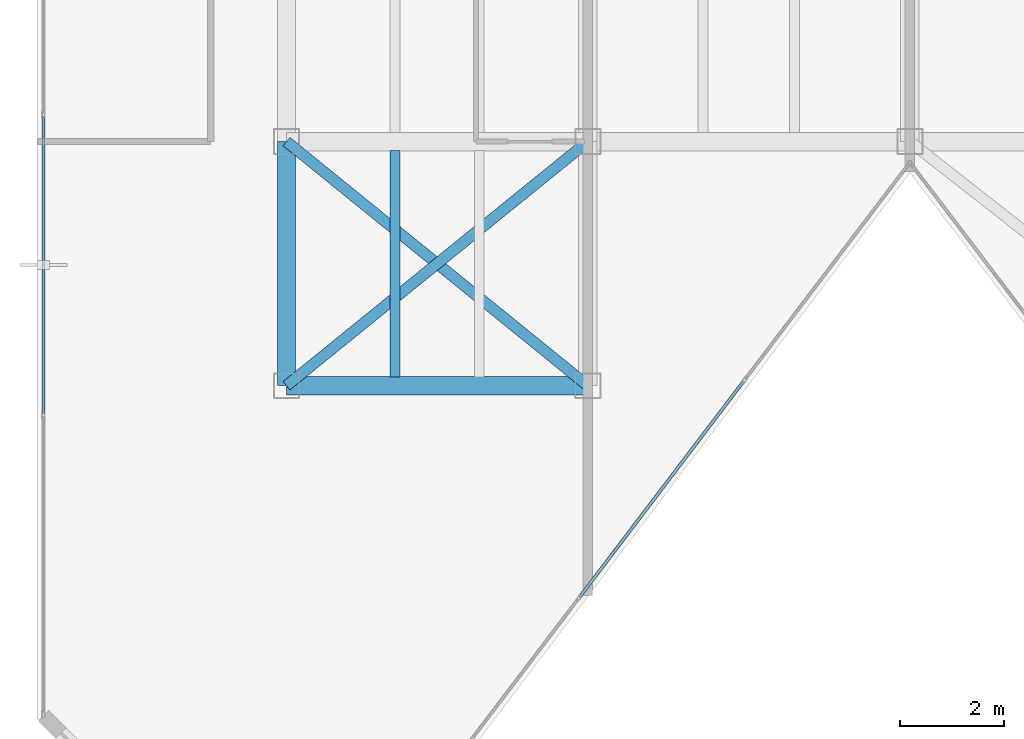
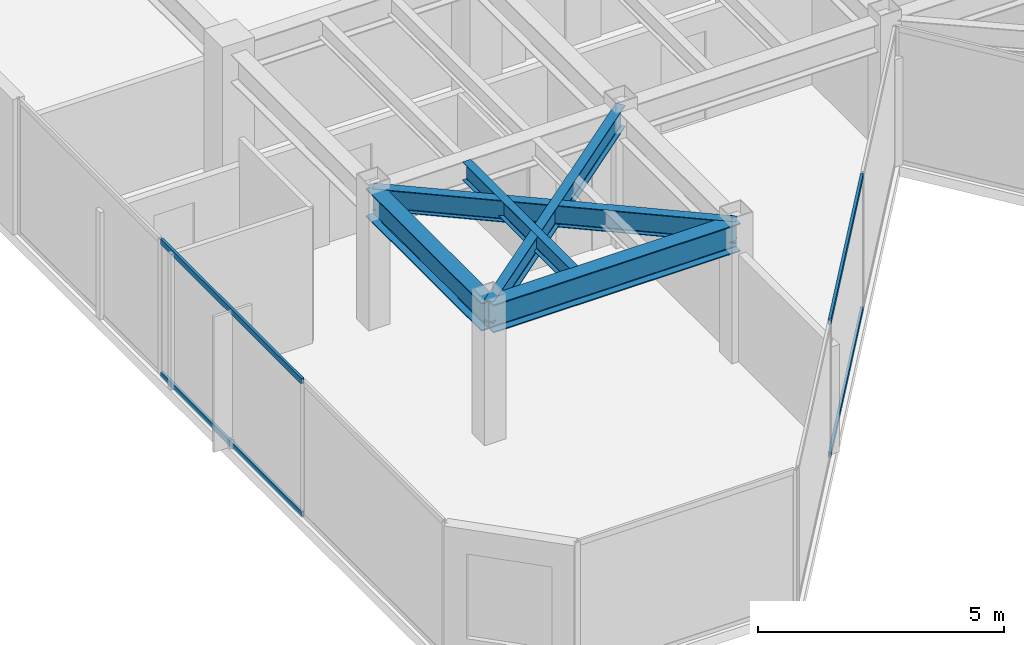
# One storey, part 3 of 19: 5 beams, 4 members, 2 elements without a shape of their own.
"""IFC4 building model written with IfcOpenShell, lengths in metres."""

import ifcopenshell
import ifcopenshell.guid

model = None  # the IFC model being written
_history = None  # IfcOwnerHistory: only IFC2X3 demands one
_inside = {}  # id of a spatial element -> (the spatial element, [elements in it])
_under = {}  # id of a project, library or spatial element -> (it, [spatial elements below it])
_declared = {}  # id of a project -> (the project, [libraries it declares])
_typed = {}  # id of a type object -> (the type object, [elements of that type])
_made_of = {}  # id of a material, layer set ... -> (it, [elements and type objects made of it])


def new_model(schema):
    """Start an empty IFC model of exactly this schema.

    Asked for "IFC4X3", IfcOpenShell would pick the latest addendum, in which some entities
    have other attributes; the version numbers below select the first issue.
    IFC2X3 requires an IfcOwnerHistory on every rooted entity: one is made here for all.
    """
    global model, _history
    if schema == "IFC4X3":
        model = ifcopenshell.file(schema_version=(4, 3, 0, 0))
    else:
        model = ifcopenshell.file(schema=schema)
    _inside.clear()
    _under.clear()
    _declared.clear()
    _typed.clear()
    _made_of.clear()
    _history = None
    if model.schema == "IFC2X3":
        org = make("IfcOrganization", Name="unknown")
        user = make(
            "IfcPersonAndOrganization",
            ThePerson=make("IfcPerson", FamilyName="unknown"),
            TheOrganization=org,
        )
        app = make(
            "IfcApplication",
            ApplicationDeveloper=org,
            Version="unknown",
            ApplicationFullName="unknown",
            ApplicationIdentifier="unknown",
        )
        _history = make(
            "IfcOwnerHistory",
            OwningUser=user,
            OwningApplication=app,
            ChangeAction="ADDED",
            CreationDate=0,
        )
    return model


def make(cls, **values):
    """One entity of the class cls with the attributes given. An attribute that is None is left unset."""
    return model.create_entity(
        cls, **{name: value for name, value in values.items() if value is not None}
    )


def rooted(cls, **values):
    """An entity with a GlobalId (a new one), such as an element, a storey or a relation."""
    return make(cls, GlobalId=ifcopenshell.guid.new(), OwnerHistory=_history, **values)


def si_unit(unit_type, name, prefix=None):
    """IfcSIUnit, for example si_unit("LENGTHUNIT", "METRE", prefix="MILLI")."""
    return make("IfcSIUnit", UnitType=unit_type, Prefix=prefix, Name=name)


def assignment(units):
    """IfcUnitAssignment: the units of a project."""
    return None if units is None else make("IfcUnitAssignment", Units=units)


def point(xyz):
    """IfcCartesianPoint."""
    return None if xyz is None else make("IfcCartesianPoint", Coordinates=xyz)


def direction(xyz):
    """IfcDirection."""
    return None if xyz is None else make("IfcDirection", DirectionRatios=xyz)


def frame(location, z_axis=None, x_axis=None):
    """IfcAxis2Placement3D, a coordinate frame: its origin and axes. An axis left out is left unset."""
    return make(
        "IfcAxis2Placement3D",
        Location=point(location),
        Axis=direction(z_axis),
        RefDirection=direction(x_axis),
    )


def frame_2d(location, x_axis=None):
    """IfcAxis2Placement2D, a coordinate frame in the plane: its origin and x axis."""
    return make(
        "IfcAxis2Placement2D", Location=point(location), RefDirection=direction(x_axis)
    )


def origin():
    """The frame at (0, 0, 0) with its axes left unset."""
    return frame((0.0, 0.0, 0.0))


def origin_2d():
    """The frame at (0, 0) in the plane with its x axis left unset."""
    return frame_2d((0.0, 0.0))


def place(relative_to, where):
    """IfcLocalPlacement: puts the frame where relative to a parent placement (None: the world)."""
    return make(
        "IfcLocalPlacement", PlacementRelTo=relative_to, RelativePlacement=where
    )


def context(
    kind, dimensions, precision=None, world=None, true_north=None, identifier=None
):
    """IfcGeometricRepresentationContext, for example the 3D "Model" context."""
    return make(
        "IfcGeometricRepresentationContext",
        ContextIdentifier=identifier,
        ContextType=kind,
        CoordinateSpaceDimension=dimensions,
        Precision=precision,
        WorldCoordinateSystem=world,
        TrueNorth=true_north,
    )


def subcontext(parent, identifier, kind, view, scale=None):
    """IfcGeometricRepresentationSubContext, for example "Body" below "Model"."""
    return make(
        "IfcGeometricRepresentationSubContext",
        ContextIdentifier=identifier,
        ContextType=kind,
        ParentContext=parent,
        TargetScale=scale,
        TargetView=view,
    )


def project(units=None, contexts=None):
    """IfcProject with its units and contexts."""
    return rooted(
        "IfcProject",
        Name="project",
        RepresentationContexts=contexts,
        UnitsInContext=assignment(units),
    )


def spatial(cls, under=None, at=None, **own):
    """A site, building, storey or space (cls), placed at a placement, below another one or the project."""
    s = rooted(cls, ObjectPlacement=at, **own)
    if under is not None:
        _under.setdefault(under.id(), (under, []))[1].append(s)
    return s


def profile(cls, at=None, kind="AREA", **sizes):
    """A parametric profile (cls). Its sizes go by their IFC names, for example OverallWidth=200.0."""
    return make(cls, ProfileType=kind, Position=at, **sizes)


def hollow_rectangle(**sizes):
    """IfcRectangleHollowProfileDef."""
    return profile("IfcRectangleHollowProfileDef", **sizes)


def i_section(**sizes):
    """IfcIShapeProfileDef."""
    return profile("IfcIShapeProfileDef", **sizes)


def extrude(swept, where, along, depth):
    """IfcExtrudedAreaSolid: the profile swept, set in the frame where, extruded along a direction by depth."""
    return make(
        "IfcExtrudedAreaSolid",
        SweptArea=swept,
        Position=where,
        ExtrudedDirection=direction(along),
        Depth=depth,
    )


def shape(context_of_items, identifier, shape_type, items):
    """IfcShapeRepresentation: the items that make up one representation, for example the "Body"."""
    return make(
        "IfcShapeRepresentation",
        ContextOfItems=context_of_items,
        RepresentationIdentifier=identifier,
        RepresentationType=shape_type,
        Items=items,
    )


def material(Name=None, Category=None):
    """IfcMaterial."""
    return make("IfcMaterial", Name=Name, Category=Category)


def layer(
    of_material, thickness, ventilated=None, Name=None, Category=None, Priority=None
):
    """IfcMaterialLayer: one layer of a wall or slab, of a material (None: an air gap)."""
    return make(
        "IfcMaterialLayer",
        Material=of_material,
        LayerThickness=thickness,
        IsVentilated=ventilated,
        Name=Name,
        Category=Category,
        Priority=Priority,
    )


def layer_set(layers, Name=None):
    """IfcMaterialLayerSet."""
    return make("IfcMaterialLayerSet", MaterialLayers=layers, LayerSetName=Name)


def material_profile(
    of_material, cross_section, Name=None, Category=None, Priority=None
):
    """IfcMaterialProfile: a cross section and its material."""
    return make(
        "IfcMaterialProfile",
        Name=Name,
        Material=of_material,
        Profile=cross_section,
        Priority=Priority,
        Category=Category,
    )


def profile_set(profiles, Name=None, composite=None):
    """IfcMaterialProfileSet."""
    return make(
        "IfcMaterialProfileSet",
        Name=Name,
        MaterialProfiles=profiles,
        CompositeProfile=composite,
    )


def made_of(thing, what):
    """Note that an element or type object is made of a material, layer set ...; save() writes the relation."""
    if what is not None:
        _made_of.setdefault(what.id(), (what, []))[1].append(thing)
    return thing


def type_object(cls, material=None, **own):
    """A type object (cls), such as IfcWallType, which elements share."""
    return made_of(rooted(cls, **own), material)


def element(
    cls,
    number,
    at=None,
    inside=None,
    cuts=None,
    type_object=None,
    material=None,
    context=None,
    identifier="Body",
    shape_type=None,
    held_by="IfcProductDefinitionShape",
    body=None,
    shapes=None,
    **own,
):
    """One element of the class cls, such as IfcWall. Its Tag is "e" and its number.

    at: its placement. inside: the storey or other place that contains it. cuts: it is an
    opening in that element (IfcRelVoidsElement). A single representation is given by context,
    identifier, shape_type and body (its items); several are given by shapes. held_by: the class
    of the entity that holds the representations. save() writes the other relations.
    """
    e = rooted(cls, Tag="e%d" % number, ObjectPlacement=at, **own)
    if body is not None:
        shapes = [shape(context, identifier, shape_type, body)]
    if shapes is not None:
        e.Representation = make(held_by, Representations=shapes)
    if inside is not None:
        _inside.setdefault(inside.id(), (inside, []))[1].append(e)
    if cuts is not None:
        rooted(
            "IfcRelVoidsElement", RelatingBuildingElement=cuts, RelatedOpeningElement=e
        )
    if type_object is not None:
        _typed.setdefault(type_object.id(), (type_object, []))[1].append(e)
    return made_of(e, material)


def aggregate(whole, parts):
    """IfcRelAggregates: a whole, such as a stair, and the parts it consists of."""
    return rooted("IfcRelAggregates", RelatingObject=whole, RelatedObjects=parts)


def save(model, path):
    """Write the relations noted so far, then the file.

    IfcRelAggregates (storeys below a building ...), IfcRelContainedInSpatialStructure (elements
    in a storey), IfcRelDefinesByType, IfcRelAssociatesMaterial and IfcRelDeclares: one each for
    every whole, place, type object, material and project.
    """
    for whole, parts in _under.values():
        aggregate(whole, parts)
    for where, things in _inside.values():
        rooted(
            "IfcRelContainedInSpatialStructure",
            RelatedElements=things,
            RelatingStructure=where,
        )
    for kind, things in _typed.values():
        rooted("IfcRelDefinesByType", RelatedObjects=things, RelatingType=kind)
    for what, things in _made_of.values():
        rooted("IfcRelAssociatesMaterial", RelatedObjects=things, RelatingMaterial=what)
    for by, libraries in _declared.values():
        rooted("IfcRelDeclares", RelatingContext=by, RelatedDefinitions=libraries)
    model.write(path)


model = new_model("IFC4")

# Units and contexts
model_context = context("Model", 3, precision=1e-05, world=origin(), true_north=direction((0.0, 1.0)))
body_context = subcontext(model_context, "Body", "Model", "MODEL_VIEW")
ifc_project = project(units=[si_unit("LENGTHUNIT", "METRE"), si_unit("AREAUNIT", "SQUARE_METRE"), si_unit("VOLUMEUNIT", "CUBIC_METRE"), si_unit("PLANEANGLEUNIT", "RADIAN"), si_unit("MASSUNIT", "GRAM", prefix="KILO")], contexts=[model_context])

# Site, building, storey
site_placement = place(None, origin())
site = spatial("IfcSite", under=ifc_project, at=site_placement, CompositionType="ELEMENT")
building_placement = place(site_placement, origin())
building = spatial("IfcBuilding", under=site, at=building_placement, Name="Kravanh Interchange Tower", CompositionType="ELEMENT")
storey_placement = place(building_placement, frame((0.0, 0.0, 267.0)))
storey = spatial("IfcBuildingStorey", under=building, at=storey_placement, Name="L65", CompositionType="ELEMENT", Elevation=267.0)

# Curtain wall, members
ifc_material_1 = material(Name="Anodised Bronze Aluminium", Category="aluminium")
ifc_layer = layer(ifc_material_1, 0.179931640625)
ifc_layer_set = layer_set([ifc_layer], Name="Unitised Curtain Wall System CW-HTL Luxury Hotel")
curtain_wall_type = type_object("IfcCurtainWallType", Name="Unitised Curtain Wall System CW-HTL Luxury Hotel", PredefinedType="NOTDEFINED", material=ifc_layer_set)
curtain_wall_1_placement = place(storey_placement, origin())
curtain_wall_1 = element("IfcCurtainWall", 1, at=curtain_wall_1_placement, inside=storey, type_object=curtain_wall_type, Name="L65 Unitised Curtain Wall CW-L65-01", PredefinedType="NOTDEFINED")
ifc_material_2 = material(Name="Anodised Bronze Aluminium", Category="aluminium")
ifc_material_profile_1 = material_profile(ifc_material_2, hollow_rectangle(XDim=0.06005859375, YDim=0.139892578125, WallThickness=0.00390625, at=origin_2d()), Name="ALU60X140X4")
ifc_profile_set_1 = profile_set([ifc_material_profile_1], Name="Anodised Bronze Aluminium")
member_type = type_object("IfcMemberType", Name="Curtain Wall Transom ALU60X140X4 Bronze", PredefinedType="USERDEFINED", material=ifc_profile_set_1)
member_1_placement = place(storey_placement, frame((28.1201171875, 26.26318359375, 0.030029296875), z_axis=(0.0, 1.0, 0.0), x_axis=(-1.0, 0.0, 0.0)))
member_1 = element("IfcMember", 2, at=member_1_placement, type_object=member_type, Name="CW-HTL transom 2.1", ObjectType="TRANSOM", PredefinedType="USERDEFINED", context=body_context, shape_type="SweptSolid", body=[
    extrude(hollow_rectangle(XDim=0.06005859375, YDim=0.139892578125, WallThickness=0.00390625, at=origin_2d()), origin(), (0.0, 0.0, 1.0), 5.723388671875),
])
member_2_placement = place(storey_placement, frame((28.1201171875, 26.26318359375, 3.330078125), z_axis=(0.0, 1.0, 0.0), x_axis=(-1.0, 0.0, 0.0)))
member_2 = element("IfcMember", 3, at=member_2_placement, type_object=member_type, Name="CW-HTL transom 2.2", ObjectType="TRANSOM", PredefinedType="USERDEFINED", context=body_context, shape_type="SweptSolid", body=[
    extrude(hollow_rectangle(XDim=0.06005859375, YDim=0.139892578125, WallThickness=0.00390625, at=origin_2d()), origin(), (0.0, 0.0, 1.0), 5.723388671875),
])
aggregate(curtain_wall_1, [member_1, member_2])

curtain_wall_2_placement = place(storey_placement, origin())
curtain_wall_2 = element("IfcCurtainWall", 4, at=curtain_wall_2_placement, inside=storey, type_object=curtain_wall_type, Name="L65 Unitised Curtain Wall CW-L65-05", PredefinedType="NOTDEFINED")
member_3_placement = place(storey_placement, frame((41.595458984375, 26.881591796875, 0.030029296875), z_axis=(-0.605104668693, -0.796145928788, 0.0), x_axis=(0.796145928788, -0.605104668693, 0.0)))
member_3 = element("IfcMember", 5, at=member_3_placement, type_object=member_type, Name="CW-HTL transom 2.1", ObjectType="TRANSOM", PredefinedType="USERDEFINED", context=body_context, shape_type="SweptSolid", body=[
    extrude(hollow_rectangle(XDim=0.06005859375, YDim=0.139892578125, WallThickness=0.00390625, at=origin_2d()), origin(), (0.0, 0.0, 1.0), 5.206298828125),
])
member_4_placement = place(storey_placement, frame((41.595458984375, 26.881591796875, 3.330078125), z_axis=(-0.605104668693, -0.796145928788, 0.0), x_axis=(0.796145928788, -0.605104668693, 0.0)))
member_4 = element("IfcMember", 6, at=member_4_placement, type_object=member_type, Name="CW-HTL transom 2.2", ObjectType="TRANSOM", PredefinedType="USERDEFINED", context=body_context, shape_type="SweptSolid", body=[
    extrude(hollow_rectangle(XDim=0.06005859375, YDim=0.139892578125, WallThickness=0.00390625, at=origin_2d()), origin(), (0.0, 0.0, 1.0), 5.206298828125),
])
aggregate(curtain_wall_2, [member_3, member_4])

# Beams
ifc_material_3 = material(Name="Structural Steel S355", Category="steel")
ifc_material_profile_2 = material_profile(ifc_material_3, i_section(OverallWidth=0.35498046875, OverallDepth=0.696044921875, WebThickness=0.015380859375, FlangeThickness=0.02490234375, FilletRadius=0.02392578125, at=origin_2d()), Name="W27X146")
ifc_profile_set_2 = profile_set([ifc_material_profile_2], Name="Structural Steel S355")
beam_type_1 = type_object("IfcBeamType", Name="Floor Beam W27X146 Structural Steel S355", PredefinedType="BEAM", material=ifc_profile_set_2)
beam_1_placement = place(storey_placement, frame((32.800048828125, 31.5, 3.011962890625), z_axis=(0.0, -1.0, 0.0), x_axis=(1.0, 0.0, 0.0)))
element("IfcBeam", 7, at=beam_1_placement, inside=storey, type_object=beam_type_1, Name="L65 Primary Floor Girder 21", PredefinedType="BEAM", context=body_context, shape_type="SweptSolid", body=[
    extrude(i_section(OverallWidth=0.35498046875, OverallDepth=0.696044921875, WebThickness=0.015380859375, FlangeThickness=0.02490234375, FilletRadius=0.02392578125, at=origin_2d()), origin(), (0.0, 0.0, 1.0), 4.699951171875),
])
beam_2_placement = place(storey_placement, frame((38.60009765625, 26.800048828125, 3.011962890625), z_axis=(-1.0, 0.0, 0.0), x_axis=(0.0, -1.0, 0.0)))
element("IfcBeam", 8, at=beam_2_placement, inside=storey, type_object=beam_type_1, Name="L65 Primary Floor Girder 24", PredefinedType="BEAM", context=body_context, shape_type="SweptSolid", body=[
    extrude(i_section(OverallWidth=0.35498046875, OverallDepth=0.696044921875, WebThickness=0.015380859375, FlangeThickness=0.02490234375, FilletRadius=0.02392578125, at=origin_2d()), origin(), (0.0, 0.0, 1.0), 5.800048828125),
])
ifc_material_4 = material(Name="Structural Steel S355", Category="steel")
ifc_material_profile_3 = material_profile(ifc_material_4, i_section(OverallWidth=0.18994140625, OverallDepth=0.45703125, WebThickness=0.009033203125, FlangeThickness=0.014404296875, FilletRadius=0.01806640625, at=origin_2d()), Name="W18X50")
ifc_profile_set_3 = profile_set([ifc_material_profile_3], Name="Structural Steel S355")
beam_type_2 = type_object("IfcBeamType", Name="Floor Joist W18X50 Structural Steel S355", PredefinedType="JOIST", material=ifc_profile_set_3)
beam_3_placement = place(storey_placement, frame((34.889892578125, 26.972412109375, 3.131591796875), z_axis=(0.0, 1.0, 0.0), x_axis=(-1.0, 0.0, 0.0)))
element("IfcBeam", 9, at=beam_3_placement, inside=storey, type_object=beam_type_2, Name="L65 Secondary Floor Joist 3", PredefinedType="JOIST", context=body_context, shape_type="SweptSolid", body=[
    extrude(i_section(OverallWidth=0.18994140625, OverallDepth=0.45703125, WebThickness=0.009033203125, FlangeThickness=0.014404296875, FilletRadius=0.01806640625, at=origin_2d()), origin(), (0.0, 0.0, 1.0), 4.35498046875),
])
ifc_material_5 = material(Name="Structural Steel S355", Category="steel")
ifc_material_profile_4 = material_profile(ifc_material_5, i_section(OverallWidth=0.2099609375, OverallDepth=0.537109375, WebThickness=0.010986328125, FlangeThickness=0.017333984375, FilletRadius=0.02001953125, at=origin_2d()), Name="W21X68")
ifc_profile_set_4 = profile_set([ifc_material_profile_4], Name="Structural Steel S355")
beam_type_3 = type_object("IfcBeamType", Name="Floor Spandrel W21X68 Structural Steel S355", PredefinedType="SPANDREL", material=ifc_profile_set_4)
for number, where, z_axis, x_axis, name in (
    (10, (38.60009765625, 31.5, 3.091552734375), (-0.776938619557, -0.629576350764, 0.0), (0.629576350764, -0.776938619557, 0.0), "L65 Perimeter Spandrel 20"),
    (11, (32.800048828125, 31.5, 3.091552734375), (0.776938619557, -0.629576350764, 0.0), (0.629576350764, 0.776938619557, 0.0), "L65 Perimeter Spandrel 23"),
):
    element("IfcBeam", number, at=place(storey_placement, frame(where, z_axis=z_axis, x_axis=x_axis)), inside=storey, type_object=beam_type_3, Name=name, PredefinedType="SPANDREL", context=body_context, shape_type="SweptSolid", body=[
        extrude(i_section(OverallWidth=0.2099609375, OverallDepth=0.537109375, WebThickness=0.010986328125, FlangeThickness=0.017333984375, FilletRadius=0.02001953125, at=origin_2d()), origin(), (0.0, 0.0, 1.0), 7.46533203125),
    ])

save(model, "model.ifc")
